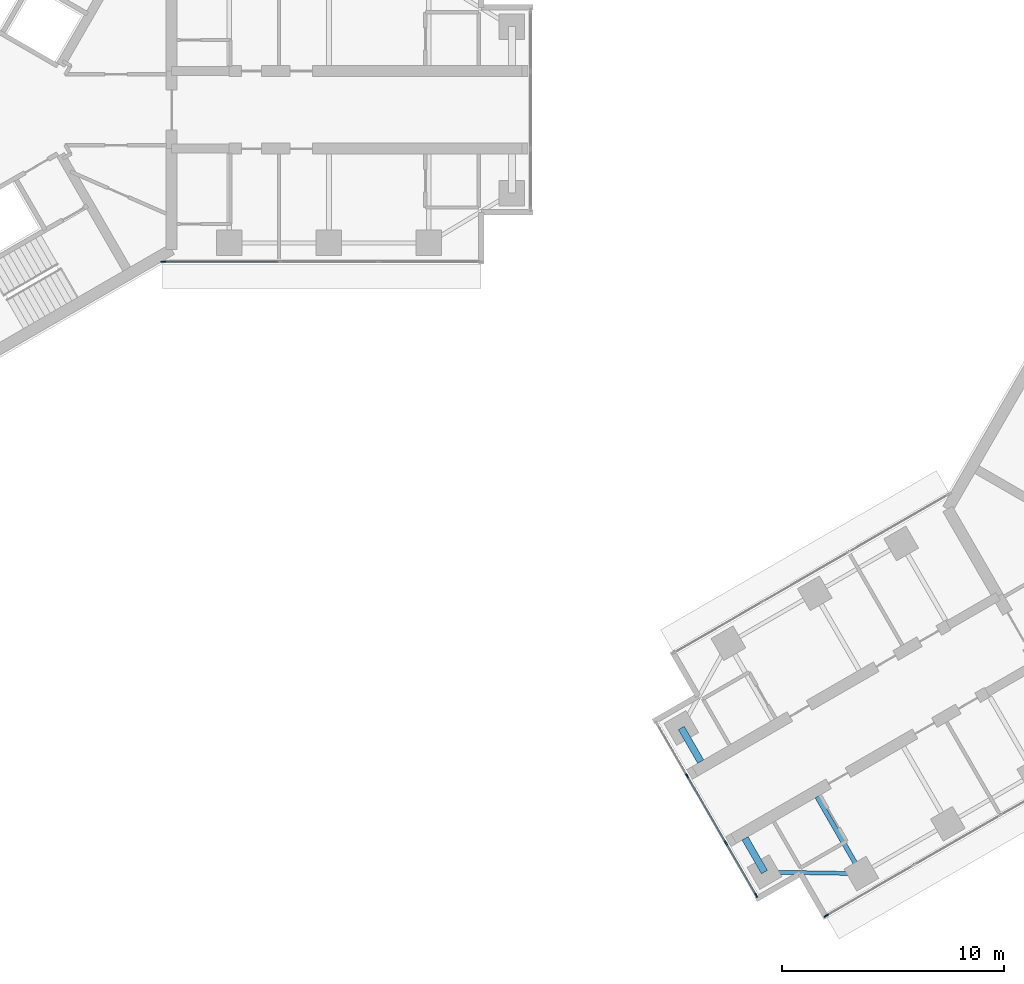
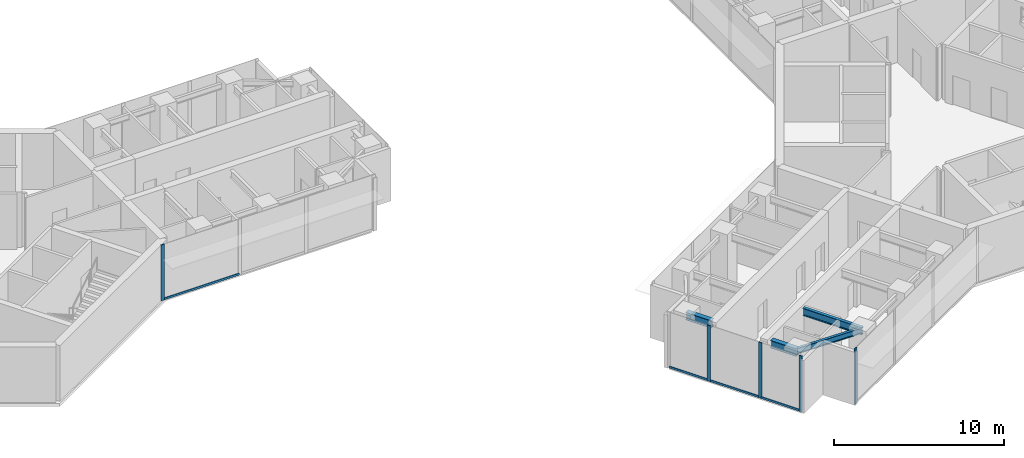
# One storey, part 2 of 17: 9 members, 4 beams, 3 elements without a shape of their own.
"""IFC4 building model written with IfcOpenShell, lengths in metres."""

from ifc_helpers import new_model, si_unit, direction, frame, origin, origin_2d, place, context, subcontext, project, spatial, rectangle, i_section, extrude, material, material_profile, profile_set, type_object, element, aggregate, save


model = new_model("IFC4")

# Units and contexts
model_context = context("Model", 3, precision=1e-05, world=origin(), true_north=direction((0.0, 1.0)))
body_context = subcontext(model_context, "Body", "Model", "MODEL_VIEW")
ifc_project = project(units=[si_unit("LENGTHUNIT", "METRE"), si_unit("AREAUNIT", "SQUARE_METRE"), si_unit("VOLUMEUNIT", "CUBIC_METRE"), si_unit("PLANEANGLEUNIT", "RADIAN"), si_unit("MASSUNIT", "GRAM", prefix="KILO")], contexts=[model_context])

# Site, building, storey
site_placement = place(None, origin())
site = spatial("IfcSite", under=ifc_project, at=site_placement, CompositionType="ELEMENT")
building_placement = place(site_placement, origin())
building = spatial("IfcBuilding", under=site, at=building_placement, Name="Upepo Twin Towers", CompositionType="ELEMENT")
storey_placement = place(building_placement, frame((0.0, 0.0, 202.5)))
storey = spatial("IfcBuildingStorey", under=building, at=storey_placement, Name="L49", CompositionType="ELEMENT", Elevation=202.5)

# Beams
ifc_material_1 = material(Name="Steel S355", Category="steel")
ifc_material_profile_1 = material_profile(ifc_material_1, i_section(OverallWidth=0.177978515625, OverallDepth=0.406494140625, WebThickness=0.0078125, FlangeThickness=0.0126953125, FilletRadius=0.01025390625, at=origin_2d()), Name="UB 406x178x60")
ifc_profile_set_1 = profile_set([ifc_material_profile_1], Name="Steel S355")
beam_type_1 = type_object("IfcBeamType", Name="Beam UB 406x178x60", PredefinedType="BEAM", material=ifc_profile_set_1)
beam_1_placement = place(storey_placement, frame((42.014404296875, -34.446044921875, 3.5966796875), z_axis=(-0.999858804832, 0.016803880528, 0.0), x_axis=(-0.016803880528, -0.999858804832, 0.0)))
element("IfcBeam", 1, at=beam_1_placement, inside=storey, type_object=beam_type_1, Name="T2 nose edge beam BL", PredefinedType="BEAM", context=body_context, shape_type="SweptSolid", body=[
    extrude(i_section(OverallWidth=0.177978515625, OverallDepth=0.406494140625, WebThickness=0.0078125, FlangeThickness=0.0126953125, FilletRadius=0.01025390625, at=origin_2d()), origin(), (0.0, 0.0, 1.0), 4.373291015625),
])
ifc_material_2 = material(Name="Steel S355", Category="steel")
ifc_material_profile_2 = material_profile(ifc_material_2, i_section(OverallWidth=0.209228515625, OverallDepth=0.533203125, WebThickness=0.010009765625, FlangeThickness=0.015625, FilletRadius=0.0126953125, at=origin_2d()), Name="UB 533x210x92")
ifc_profile_set_2 = profile_set([ifc_material_profile_2], Name="Steel S355")
beam_type_2 = type_object("IfcBeamType", Name="Beam UB 533x210x92", PredefinedType="BEAM", material=ifc_profile_set_2)
beam_2_placement = place(storey_placement, frame((42.014404296875, -34.446044921875, 3.533447265625), z_axis=(-0.49999894854, 0.866026010844, 0.0), x_axis=(-0.866026010844, -0.49999894854, 0.0)))
element("IfcBeam", 2, at=beam_2_placement, inside=storey, type_object=beam_type_2, Name="T2 girder BL at 22.5", PredefinedType="BEAM", context=body_context, shape_type="SweptSolid", body=[
    extrude(i_section(OverallWidth=0.209228515625, OverallDepth=0.533203125, WebThickness=0.010009765625, FlangeThickness=0.015625, FilletRadius=0.0126953125, at=origin_2d()), origin(), (0.0, 0.0, 1.0), 4.0),
])
ifc_material_3 = material(Name="Steel S355", Category="steel")
ifc_material_profile_3 = material_profile(ifc_material_3, i_section(OverallWidth=0.31201171875, OverallDepth=0.54345703125, WebThickness=0.0126953125, FlangeThickness=0.020263671875, FilletRadius=0.0126953125, at=origin_2d()), Name="UB 533x312x150")
ifc_profile_set_3 = profile_set([ifc_material_profile_3], Name="Steel S355")
beam_type_3 = type_object("IfcBeamType", Name="Beam UB 533x312x150", PredefinedType="BEAM", material=ifc_profile_set_3)
for number, where, z_axis, x_axis, name in (
    (3, (37.641845703125, -34.37255859375, 3.5283203125), (-0.499980071345, 0.866036909293, 0.0), (-0.866036909293, -0.499980071345, 0.0), "T2 nose beam BL"),
    (4, (33.891845703125, -27.87744140625, 3.5283203125), (0.499980071345, -0.866036909293, 0.0), (0.866036909293, 0.499980071345, 0.0), "T2 nose beam BR"),
):
    element("IfcBeam", number, at=place(storey_placement, frame(where, z_axis=z_axis, x_axis=x_axis)), inside=storey, type_object=beam_type_3, Name=name, PredefinedType="BEAM", context=body_context, shape_type="SweptSolid", body=[
        extrude(i_section(OverallWidth=0.31201171875, OverallDepth=0.54345703125, WebThickness=0.0126953125, FlangeThickness=0.020263671875, FilletRadius=0.0126953125, at=origin_2d()), origin(), (0.0, 0.0, 1.0), 1.75),
    ])

# Curtain wall, member
ifc_material_4 = material(Name="Aluminium and fritted glass", Category="aluminium")
curtain_wall_type = type_object("IfcCurtainWallType", Name="Tower curtain wall TW3, fritted glass", PredefinedType="NOTDEFINED", material=ifc_material_4)
curtain_wall_1_placement = place(storey_placement, origin())
curtain_wall_1 = element("IfcCurtainWall", 5, at=curtain_wall_1_placement, inside=storey, type_object=curtain_wall_type, Name="T1 L49 wing A flank R curtain wall", PredefinedType="NOTDEFINED")
ifc_material_5 = material(Name="Aluminium mullion", Category="aluminium")
ifc_material_profile_4 = material_profile(ifc_material_5, rectangle(XDim=0.06494140625, YDim=0.22509765625, at=origin_2d()), Name="MULLION 65x225")
ifc_profile_set_4 = profile_set([ifc_material_profile_4], Name="Aluminium mullion")
member_type_1 = type_object("IfcMemberType", Name="Mullion 65x225 TW3", PredefinedType="MULLION", material=ifc_profile_set_4)
member_1_placement = place(storey_placement, frame((10.51953125, -6.85009765625, 0.0), z_axis=(0.0, 0.0, 1.0), x_axis=(0.0, -1.0, 0.0)))
member_1 = element("IfcMember", 6, at=member_1_placement, type_object=member_type_1, Name="T1 L49 wing A flank R curtain wall mullion 4", PredefinedType="MULLION", context=body_context, shape_type="SweptSolid", body=[
    extrude(rectangle(XDim=0.06494140625, YDim=0.22509765625, at=origin_2d()), origin(), (0.0, 0.0, 1.0), 4.0),
])

curtain_wall_2_placement = place(storey_placement, origin())
curtain_wall_2 = element("IfcCurtainWall", 7, at=curtain_wall_2_placement, inside=storey, type_object=curtain_wall_type, Name="T2 L49 wing B flank L curtain wall", PredefinedType="NOTDEFINED")
member_2_placement = place(storey_placement, frame((40.432373046875, -36.341064453125, 0.0), z_axis=(0.0, 0.0, 1.0), x_axis=(0.500000026527, -0.866025388469, 0.0)))
member_2 = element("IfcMember", 8, at=member_2_placement, type_object=member_type_1, Name="T2 L49 wing B flank L curtain wall mullion 4", PredefinedType="MULLION", context=body_context, shape_type="SweptSolid", body=[
    extrude(rectangle(XDim=0.06494140625, YDim=0.22509765625, at=origin_2d()), origin(), (0.0, 0.0, 1.0), 4.0),
])
aggregate(curtain_wall_2, [member_2])

# Curtain wall, members
curtain_wall_3_placement = place(storey_placement, origin())
curtain_wall_3 = element("IfcCurtainWall", 9, at=curtain_wall_3_placement, inside=storey, type_object=curtain_wall_type, Name="T2 L49 wing B nose curtain wall", PredefinedType="NOTDEFINED")
member_3_placement = place(storey_placement, frame((34.15576171875, -30.034423828125, 0.0), z_axis=(0.0, 0.0, 1.0), x_axis=(0.866025386174, 0.500000030502, 0.0)))
member_3 = element("IfcMember", 10, at=member_3_placement, type_object=member_type_1, Name="T2 L49 wing B nose curtain wall mullion 2", PredefinedType="MULLION", context=body_context, shape_type="SweptSolid", body=[
    extrude(rectangle(XDim=0.06494140625, YDim=0.22509765625, at=origin_2d()), origin(), (0.0, 0.0, 1.0), 4.0),
])
member_4_placement = place(storey_placement, frame((35.90576171875, -33.0654296875, 0.0), z_axis=(0.0, 0.0, 1.0), x_axis=(0.866025386174, 0.500000030502, 0.0)))
member_4 = element("IfcMember", 11, at=member_4_placement, type_object=member_type_1, Name="T2 L49 wing B nose curtain wall mullion 3", PredefinedType="MULLION", context=body_context, shape_type="SweptSolid", body=[
    extrude(rectangle(XDim=0.06494140625, YDim=0.22509765625, at=origin_2d()), origin(), (0.0, 0.0, 1.0), 4.0),
])
member_5_placement = place(storey_placement, frame((37.264404296875, -35.4189453125, 0.0), z_axis=(0.0, 0.0, 1.0), x_axis=(0.866025386174, 0.500000030502, 0.0)))
member_5 = element("IfcMember", 12, at=member_5_placement, type_object=member_type_1, Name="T2 L49 wing B nose curtain wall mullion 4", PredefinedType="MULLION", context=body_context, shape_type="SweptSolid", body=[
    extrude(rectangle(XDim=0.06494140625, YDim=0.22509765625, at=origin_2d()), origin(), (0.0, 0.0, 1.0), 4.0),
])

# Member
ifc_material_6 = material(Name="Aluminium transom", Category="aluminium")
ifc_material_profile_5 = material_profile(ifc_material_6, rectangle(XDim=0.06494140625, YDim=0.14990234375, at=origin_2d()), Name="TRANSOM 65x150")
ifc_profile_set_5 = profile_set([ifc_material_profile_5], Name="Aluminium transom")
member_type_2 = type_object("IfcMemberType", Name="Transom 65x150 TW3", PredefinedType="USERDEFINED", material=ifc_profile_set_5)
member_6_placement = place(storey_placement, frame((15.717529296875, -6.85009765625, 0.074951171875), z_axis=(-1.0, 0.0, 0.0), x_axis=(0.0, -1.0, 0.0)))
member_6 = element("IfcMember", 13, at=member_6_placement, type_object=member_type_2, Name="T1 L49 wing A flank R curtain wall transom 3", ObjectType="TRANSOM", PredefinedType="USERDEFINED", context=body_context, shape_type="SweptSolid", body=[
    extrude(rectangle(XDim=0.06494140625, YDim=0.14990234375, at=origin_2d()), origin(), (0.0, 0.0, 1.0), 5.16552734375),
])

aggregate(curtain_wall_1, [member_1, member_6])

member_7_placement = place(storey_placement, frame((32.813232421875, -27.709228515625, 0.074951171875), z_axis=(0.499980071345, -0.866036909293, 0.0), x_axis=(0.866036909293, 0.499980071345, 0.0)))
member_7 = element("IfcMember", 14, at=member_7_placement, type_object=member_type_2, Name="T2 L49 wing B nose curtain wall transom 1", ObjectType="TRANSOM", PredefinedType="USERDEFINED", context=body_context, shape_type="SweptSolid", body=[
    extrude(rectangle(XDim=0.06494140625, YDim=0.14990234375, at=origin_2d()), origin(), (0.0, 0.0, 1.0), 2.65234375),
])

member_8_placement = place(storey_placement, frame((34.171875, -30.0625, 0.074951171875), z_axis=(0.499999305434, -0.866025804792, 0.0), x_axis=(0.866025804792, 0.499999305434, 0.0)))
member_8 = element("IfcMember", 15, at=member_8_placement, type_object=member_type_2, Name="T2 L49 wing B nose curtain wall transom 2", ObjectType="TRANSOM", PredefinedType="USERDEFINED", context=body_context, shape_type="SweptSolid", body=[
    extrude(rectangle(XDim=0.06494140625, YDim=0.14990234375, at=origin_2d()), origin(), (0.0, 0.0, 1.0), 3.43505859375),
])

member_9_placement = place(storey_placement, frame((35.921875, -33.09375, 0.074951171875), z_axis=(0.500049101008, -0.865997053448, 0.0), x_axis=(0.865997053448, 0.500049101008, 0.0)))
member_9 = element("IfcMember", 16, at=member_9_placement, type_object=member_type_2, Name="T2 L49 wing B nose curtain wall transom 3", ObjectType="TRANSOM", PredefinedType="USERDEFINED", context=body_context, shape_type="SweptSolid", body=[
    extrude(rectangle(XDim=0.06494140625, YDim=0.14990234375, at=origin_2d()), origin(), (0.0, 0.0, 1.0), 2.652587890625),
])

aggregate(curtain_wall_3, [member_3, member_4, member_5, member_7, member_8, member_9])

save(model, "model.ifc")
